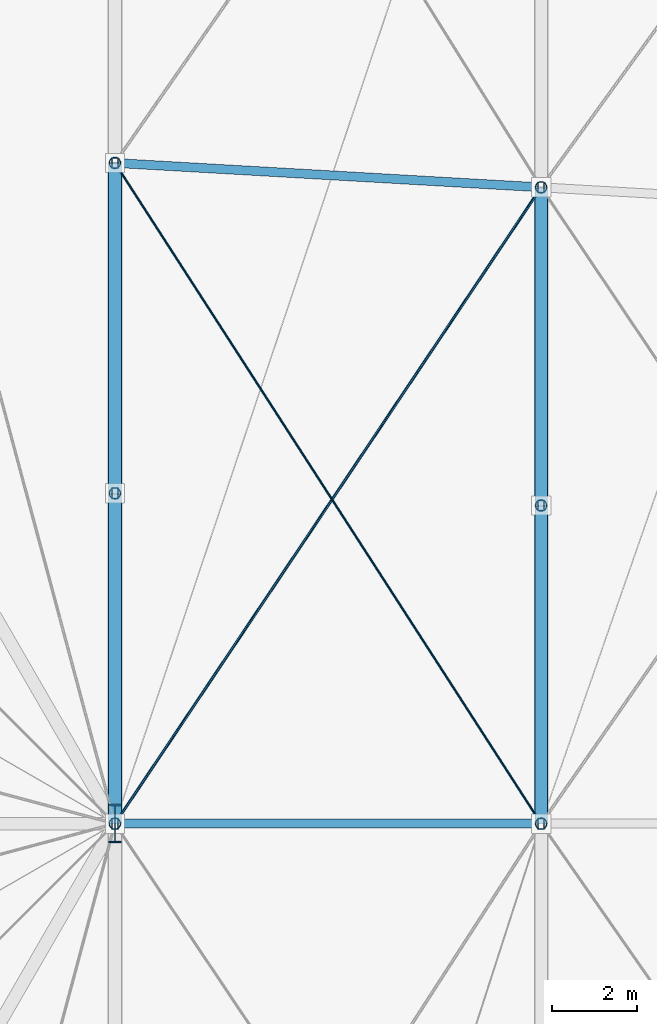
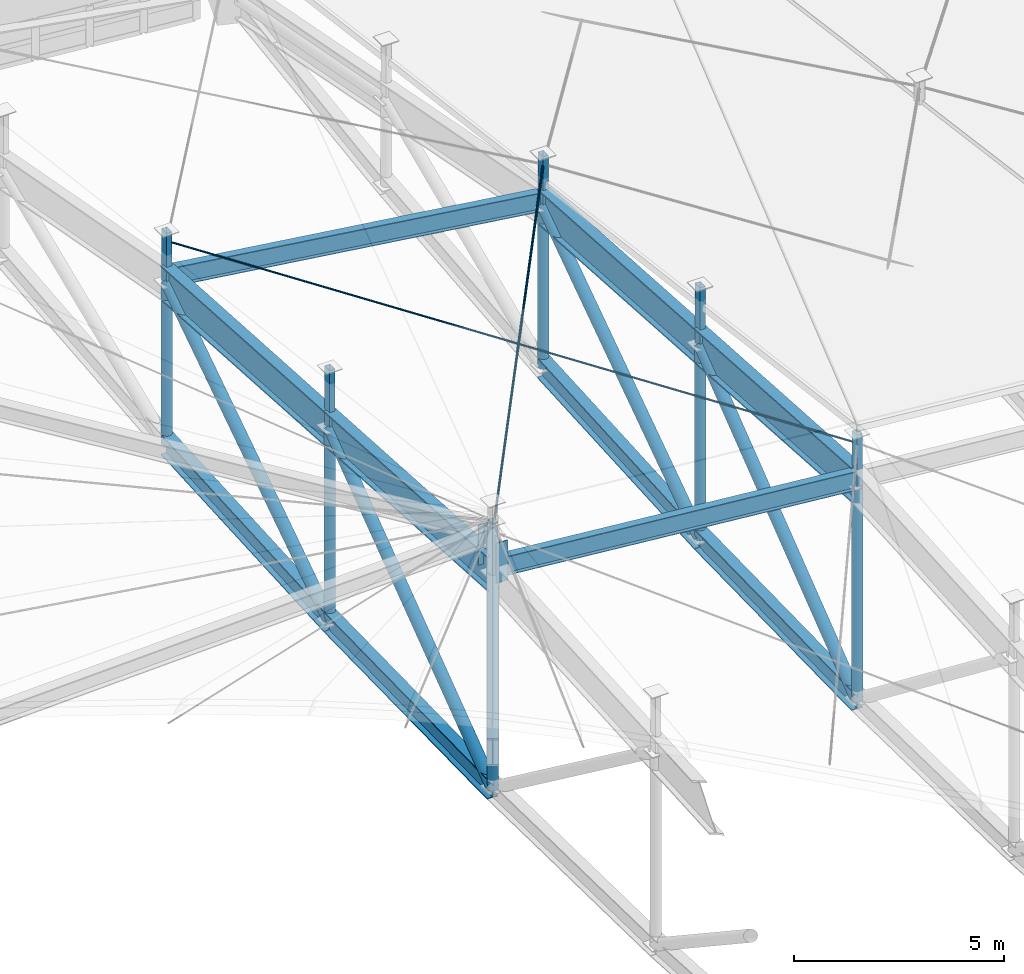
# One storey, part 19 of 68: 18 members, 11 beams.
"""IFC4 building model written with IfcOpenShell, lengths in metres."""

from ifc_helpers import new_model, si_unit, direction, frame, origin, origin_2d, place, context, subcontext, project, spatial, hollow_rectangle, circle, hollow_circle, i_section, extrude, material, material_profile, profile_set, type_object, element, save


model = new_model("IFC4")

# Units and contexts
model_context = context("Model", 3, precision=1e-05, world=origin(), true_north=direction((0.0, 1.0)))
body_context = subcontext(model_context, "Body", "Model", "MODEL_VIEW")
ifc_project = project(units=[si_unit("LENGTHUNIT", "METRE"), si_unit("AREAUNIT", "SQUARE_METRE"), si_unit("VOLUMEUNIT", "CUBIC_METRE"), si_unit("PLANEANGLEUNIT", "RADIAN"), si_unit("MASSUNIT", "GRAM", prefix="KILO")], contexts=[model_context])

# Site, building, storey
site_placement = place(None, origin())
site = spatial("IfcSite", under=ifc_project, at=site_placement, CompositionType="ELEMENT")
building_placement = place(site_placement, origin())
building = spatial("IfcBuilding", under=site, at=building_placement, Name="Sohan Crest Arena", CompositionType="ELEMENT")
storey_placement = place(building_placement, frame((0.0, 0.0, 27.0)))
storey = spatial("IfcBuildingStorey", under=building, at=storey_placement, Name="RF", CompositionType="ELEMENT", Elevation=27.0)

# Beams
ifc_material_1 = material(Name="Steel S355", Category="steel")
ifc_material_profile_1 = material_profile(ifc_material_1, i_section(OverallWidth=0.2099609375, OverallDepth=0.550048828125, WebThickness=0.010986328125, FlangeThickness=0.01708984375, at=origin_2d()), Name="IPE 550")
ifc_profile_set_1 = profile_set([ifc_material_profile_1], Name="Steel S355")
beam_type_1 = type_object("IfcBeamType", Name="STR-BM-B06", PredefinedType="BEAM", material=ifc_profile_set_1)
beam_1_placement = place(storey_placement, frame((98.0, 78.0, 5.470947265625), z_axis=(0.995721890148, 0.0, -0.092400852159), x_axis=(0.0, 1.0, 0.0)))
element("IfcBeam", 1, at=beam_1_placement, inside=storey, type_object=beam_type_1, Name="Structural beam RP-RF-3145", PredefinedType="BEAM", context=body_context, shape_type="SweptSolid", body=[
    extrude(i_section(OverallWidth=0.2099609375, OverallDepth=0.550048828125, WebThickness=0.010986328125, FlangeThickness=0.01708984375, at=origin_2d()), origin(), (0.0, 0.0, 1.0), 10.04296875),
])
beam_2_placement = place(storey_placement, frame((98.0, 93.5, 4.509033203125), z_axis=(0.994110674277, -0.056865266353, -0.092251334788), x_axis=(0.057108792309, 0.998367961145, 0.0)))
element("IfcBeam", 2, at=beam_2_placement, inside=storey, type_object=beam_type_1, Name="Structural beam RP-RF-3146", PredefinedType="BEAM", context=body_context, shape_type="SweptSolid", body=[
    extrude(i_section(OverallWidth=0.2099609375, OverallDepth=0.550048828125, WebThickness=0.010986328125, FlangeThickness=0.01708984375, at=origin_2d()), origin(), (0.0, 0.0, 1.0), 10.059326171875),
])
ifc_material_profile_2 = material_profile(ifc_material_1, i_section(OverallWidth=0.300048828125, OverallDepth=0.60009765625, WebThickness=0.015380859375, FlangeThickness=0.030029296875, at=origin_2d()), Name="HEB 600")
ifc_profile_set_2 = profile_set([ifc_material_profile_2], Name="Steel S355")
beam_type_2 = type_object("IfcBeamType", Name="STR-BM-B15", PredefinedType="BEAM", material=ifc_profile_set_2)
beam_3_placement = place(storey_placement, frame((98.0, 78.0, -0.93896484375), z_axis=(0.0, 0.999812991388, 0.019338620738), x_axis=(-1.0, 0.0, 0.0)))
element("IfcBeam", 3, at=beam_3_placement, inside=storey, type_object=beam_type_2, Name="Structural beam RAB-RF-3025", PredefinedType="BEAM", context=body_context, shape_type="SweptSolid", body=[
    extrude(i_section(OverallWidth=0.300048828125, OverallDepth=0.60009765625, WebThickness=0.015380859375, FlangeThickness=0.030029296875, at=origin_2d()), origin(), (0.0, 0.0, 1.0), 7.75146484375),
])
beam_4_placement = place(storey_placement, frame((98.0, 85.75, -0.7890625), z_axis=(0.0, 0.99831887061, 0.057960612353), x_axis=(-1.0, 0.0, 0.0)))
element("IfcBeam", 4, at=beam_4_placement, inside=storey, type_object=beam_type_2, Name="Structural beam RAB-RF-3027", PredefinedType="BEAM", context=body_context, shape_type="SweptSolid", body=[
    extrude(i_section(OverallWidth=0.300048828125, OverallDepth=0.60009765625, WebThickness=0.015380859375, FlangeThickness=0.030029296875, at=origin_2d()), origin(), (0.0, 0.0, 1.0), 7.762939453125),
])
beam_5_placement = place(storey_placement, frame((108.0, 78.0, -1.866943359375), z_axis=(0.0, 0.999798395935, 0.020079031011), x_axis=(-1.0, 0.0, 0.0)))
element("IfcBeam", 5, at=beam_5_placement, inside=storey, type_object=beam_type_2, Name="Structural beam RAB-RF-3041", PredefinedType="BEAM", context=body_context, shape_type="SweptSolid", body=[
    extrude(i_section(OverallWidth=0.300048828125, OverallDepth=0.60009765625, WebThickness=0.015380859375, FlangeThickness=0.030029296875, at=origin_2d()), origin(), (0.0, 0.0, 1.0), 7.465576171875),
])
beam_6_placement = place(storey_placement, frame((108.0, 85.464111328125, -1.717041015625), z_axis=(0.0, 0.998187862193, 0.060174677156), x_axis=(-1.0, 0.0, 0.0)))
element("IfcBeam", 6, at=beam_6_placement, inside=storey, type_object=beam_type_2, Name="Structural beam RAB-RF-3043", PredefinedType="BEAM", context=body_context, shape_type="SweptSolid", body=[
    extrude(i_section(OverallWidth=0.300048828125, OverallDepth=0.60009765625, WebThickness=0.015380859375, FlangeThickness=0.030029296875, at=origin_2d()), origin(), (0.0, 0.0, 1.0), 7.4775390625),
])
ifc_material_profile_3 = material_profile(ifc_material_1, i_section(OverallWidth=0.300048828125, OverallDepth=0.89990234375, WebThickness=0.0185546875, FlangeThickness=0.034912109375, at=origin_2d()), Name="HEB 900")
ifc_profile_set_3 = profile_set([ifc_material_profile_3], Name="Steel S355")
beam_type_3 = type_object("IfcBeamType", Name="STR-BM-B18", PredefinedType="BEAM", material=ifc_profile_set_3)
beam_7_placement = place(storey_placement, frame((98.0, 78.0, 5.31103515625), z_axis=(0.0, 0.0, 1.0), x_axis=(1.0, 0.0, 0.0)))
element("IfcBeam", 7, at=beam_7_placement, inside=storey, type_object=beam_type_3, Name="Structural beam RP-RF-3165", PredefinedType="BEAM", context=body_context, shape_type="SweptSolid", body=[
    extrude(i_section(OverallWidth=0.300048828125, OverallDepth=0.89990234375, WebThickness=0.0185546875, FlangeThickness=0.034912109375, at=origin_2d()), origin(), (0.0, 0.0, 1.0), 1.156005859375),
])
ifc_material_profile_4 = material_profile(ifc_material_1, i_section(OverallWidth=0.300048828125, OverallDepth=1.0, WebThickness=0.01904296875, FlangeThickness=0.035888671875, at=origin_2d()), Name="HEB 1000")
ifc_profile_set_4 = profile_set([ifc_material_profile_4], Name="Steel S355")
beam_type_4 = type_object("IfcBeamType", Name="STR-BM-B19", PredefinedType="BEAM", material=ifc_profile_set_4)
for number, where, z_axis, x_axis, name in (
    (8, (98.0, 78.0, 5.31103515625), (0.0, 0.998079886458, -0.061939811502), (-1.0, 0.0, 0.0), "Structural beam RA-RF-3024"),
    (9, (98.0, 85.75, 4.830078125), (0.0, 0.998079886458, -0.061939811502), (-1.0, 0.0, 0.0), "Structural beam RA-RF-3026"),
):
    element("IfcBeam", number, at=place(storey_placement, frame(where, z_axis=z_axis, x_axis=x_axis)), inside=storey, type_object=beam_type_4, Name=name, PredefinedType="BEAM", context=body_context, shape_type="SweptSolid", body=[
        extrude(i_section(OverallWidth=0.300048828125, OverallDepth=1.0, WebThickness=0.01904296875, FlangeThickness=0.035888671875, at=origin_2d()), origin(), (0.0, 0.0, 1.0), 7.764892578125),
    ])
beam_8_placement = place(storey_placement, frame((108.0, 78.0, 4.383056640625), z_axis=(0.0, 0.997930447152, -0.064302586625), x_axis=(-1.0, 0.0, 0.0)))
element("IfcBeam", 10, at=beam_8_placement, inside=storey, type_object=beam_type_4, Name="Structural beam RA-RF-3040", PredefinedType="BEAM", context=body_context, shape_type="SweptSolid", body=[
    extrude(i_section(OverallWidth=0.300048828125, OverallDepth=1.0, WebThickness=0.01904296875, FlangeThickness=0.035888671875, at=origin_2d()), origin(), (0.0, 0.0, 1.0), 7.4794921875),
])
beam_9_placement = place(storey_placement, frame((108.0, 85.464111328125, 3.902099609375), z_axis=(0.0, 0.997928216969, -0.064337188134), x_axis=(-1.0, 0.0, 0.0)))
element("IfcBeam", 11, at=beam_9_placement, inside=storey, type_object=beam_type_4, Name="Structural beam RA-RF-3042", PredefinedType="BEAM", context=body_context, shape_type="SweptSolid", body=[
    extrude(i_section(OverallWidth=0.300048828125, OverallDepth=1.0, WebThickness=0.01904296875, FlangeThickness=0.035888671875, at=origin_2d()), origin(), (0.0, 0.0, 1.0), 7.479248046875),
])

# Members
ifc_material_profile_5 = material_profile(ifc_material_1, hollow_circle(Radius=0.136474609375, WallThickness=0.012451171875, at=origin_2d()), Name="CHS 273x12.5")
ifc_profile_set_5 = profile_set([ifc_material_profile_5], Name="Steel S355")
member_type_1 = type_object("IfcMemberType", Name="STR-MEM-BR02", PredefinedType="BRACE", material=ifc_profile_set_5)
member_1_placement = place(storey_placement, frame((98.0, 78.0, -0.93896484375), z_axis=(0.0, 0.0, 1.0), x_axis=(1.0, 0.0, 0.0)))
element("IfcMember", 12, at=member_1_placement, inside=storey, type_object=member_type_1, Name="Lenticular roof truss web strut TW-077", PredefinedType="BRACE", context=body_context, shape_type="SweptSolid", body=[
    extrude(hollow_circle(Radius=0.136474609375, WallThickness=0.012451171875, at=origin_2d()), origin(), (0.0, 0.0, 1.0), 6.25),
])
member_2_placement = place(storey_placement, frame((98.0, 85.75, -0.7890625), z_axis=(0.0, 0.0, 1.0), x_axis=(1.0, 0.0, 0.0)))
element("IfcMember", 13, at=member_2_placement, inside=storey, type_object=member_type_1, Name="Lenticular roof truss web strut TW-079", PredefinedType="BRACE", context=body_context, shape_type="SweptSolid", body=[
    extrude(hollow_circle(Radius=0.136474609375, WallThickness=0.012451171875, at=origin_2d()), origin(), (0.0, 0.0, 1.0), 5.619140625),
])
member_3_placement = place(storey_placement, frame((98.0, 93.5, -0.339111328125), z_axis=(0.0, 0.0, 1.0), x_axis=(1.0, 0.0, 0.0)))
element("IfcMember", 14, at=member_3_placement, inside=storey, type_object=member_type_1, Name="Lenticular roof truss web strut TW-081", PredefinedType="BRACE", context=body_context, shape_type="SweptSolid", body=[
    extrude(hollow_circle(Radius=0.136474609375, WallThickness=0.012451171875, at=origin_2d()), origin(), (0.0, 0.0, 1.0), 4.688232421875),
])
member_4_placement = place(storey_placement, frame((108.0, 78.0, -1.866943359375), z_axis=(0.0, 0.0, 1.0), x_axis=(1.0, 0.0, 0.0)))
element("IfcMember", 15, at=member_4_placement, inside=storey, type_object=member_type_1, Name="Lenticular roof truss web strut TW-101", PredefinedType="BRACE", context=body_context, shape_type="SweptSolid", body=[
    extrude(hollow_circle(Radius=0.136474609375, WallThickness=0.012451171875, at=origin_2d()), origin(), (0.0, 0.0, 1.0), 6.25),
])
member_5_placement = place(storey_placement, frame((108.0, 85.464111328125, -1.717041015625), z_axis=(0.0, 0.0, 1.0), x_axis=(1.0, 0.0, 0.0)))
element("IfcMember", 16, at=member_5_placement, inside=storey, type_object=member_type_1, Name="Lenticular roof truss web strut TW-103", PredefinedType="BRACE", context=body_context, shape_type="SweptSolid", body=[
    extrude(hollow_circle(Radius=0.136474609375, WallThickness=0.012451171875, at=origin_2d()), origin(), (0.0, 0.0, 1.0), 5.619140625),
])
member_6_placement = place(storey_placement, frame((108.0, 92.927978515625, -1.26708984375), z_axis=(0.0, 0.0, 1.0), x_axis=(1.0, 0.0, 0.0)))
element("IfcMember", 17, at=member_6_placement, inside=storey, type_object=member_type_1, Name="Lenticular roof truss web strut TW-105", PredefinedType="BRACE", context=body_context, shape_type="SweptSolid", body=[
    extrude(hollow_circle(Radius=0.136474609375, WallThickness=0.012451171875, at=origin_2d()), origin(), (0.0, 0.0, 1.0), 4.68798828125),
])
ifc_material_profile_6 = material_profile(ifc_material_1, hollow_circle(Radius=0.161865234375, WallThickness=0.012451171875, at=origin_2d()), Name="CHS 323.9x12.5")
ifc_profile_set_6 = profile_set([ifc_material_profile_6], Name="Steel S355")
member_type_2 = type_object("IfcMemberType", Name="STR-MEM-BR03", PredefinedType="BRACE", material=ifc_profile_set_6)
member_7_placement = place(storey_placement, frame((98.0, 78.0, -0.93896484375), z_axis=(0.0, 0.802153843618, 0.597117418243), x_axis=(-1.0, 0.0, 0.0)))
element("IfcMember", 18, at=member_7_placement, inside=storey, type_object=member_type_2, Name="Lenticular roof truss web diagonal TD-078", PredefinedType="BRACE", context=body_context, shape_type="SweptSolid", body=[
    extrude(hollow_circle(Radius=0.161865234375, WallThickness=0.012451171875, at=origin_2d()), origin(), (0.0, 0.0, 1.0), 9.661376953125),
])
member_8_placement = place(storey_placement, frame((98.0, 85.75, -0.7890625), z_axis=(0.0, 0.833461361044, 0.552577740818), x_axis=(-1.0, 0.0, 0.0)))
element("IfcMember", 19, at=member_8_placement, inside=storey, type_object=member_type_2, Name="Lenticular roof truss web diagonal TD-080", PredefinedType="BRACE", context=body_context, shape_type="SweptSolid", body=[
    extrude(hollow_circle(Radius=0.161865234375, WallThickness=0.012451171875, at=origin_2d()), origin(), (0.0, 0.0, 1.0), 9.298583984375),
])
member_9_placement = place(storey_placement, frame((108.0, 78.0, -1.866943359375), z_axis=(0.0, 0.791217267627, 0.611535146503), x_axis=(-1.0, 0.0, 0.0)))
element("IfcMember", 20, at=member_9_placement, inside=storey, type_object=member_type_2, Name="Lenticular roof truss web diagonal TD-102", PredefinedType="BRACE", context=body_context, shape_type="SweptSolid", body=[
    extrude(hollow_circle(Radius=0.161865234375, WallThickness=0.012451171875, at=origin_2d()), origin(), (0.0, 0.0, 1.0), 9.43359375),
])
member_10_placement = place(storey_placement, frame((108.0, 85.464111328125, -1.717041015625), z_axis=(0.0, 0.823705311369, 0.567018130242), x_axis=(-1.0, 0.0, 0.0)))
element("IfcMember", 21, at=member_10_placement, inside=storey, type_object=member_type_2, Name="Lenticular roof truss web diagonal TD-104", PredefinedType="BRACE", context=body_context, shape_type="SweptSolid", body=[
    extrude(hollow_circle(Radius=0.161865234375, WallThickness=0.012451171875, at=origin_2d()), origin(), (0.0, 0.0, 1.0), 9.061279296875),
])
ifc_material_2 = material(Name="Steel S460", Category="steel")
ifc_material_profile_7 = material_profile(ifc_material_2, circle(Radius=0.031982421875, at=origin_2d()), Name="FLC D64")
ifc_profile_set_7 = profile_set([ifc_material_profile_7], Name="Steel S460")
member_type_3 = type_object("IfcMemberType", Name="STR-MEM-CB01", PredefinedType="USERDEFINED", material=ifc_profile_set_7)
member_11_placement = place(storey_placement, frame((98.0, 78.0, 6.490966796875), z_axis=(0.553495537026, 0.826256948523, -0.104604710745), x_axis=(-0.830814900024, 0.556548831548, 0.0)))
element("IfcMember", 22, at=member_11_placement, inside=storey, type_object=member_type_3, Name="Full-locked-coil roof cable CB-005", ObjectType="CABLE", PredefinedType="USERDEFINED", context=body_context, shape_type="SweptSolid", body=[
    extrude(circle(Radius=0.031982421875, at=origin_2d()), origin(), (0.0, 0.0, 1.0), 18.06689453125),
])
ifc_material_profile_8 = material_profile(ifc_material_2, circle(Radius=0.02587890625, at=origin_2d()), Name="FLC D52")
ifc_profile_set_8 = profile_set([ifc_material_profile_8], Name="Steel S460")
member_type_4 = type_object("IfcMemberType", Name="STR-MEM-CB02", PredefinedType="USERDEFINED", material=ifc_profile_set_8)
member_12_placement = place(storey_placement, frame((98.0, 93.5, 5.529052734375), z_axis=(0.542125952374, -0.84029522618, 0.001839734067), x_axis=(0.840296648224, 0.542126869822, 0.0)))
element("IfcMember", 23, at=member_12_placement, inside=storey, type_object=member_type_4, Name="Full-locked-coil roof cable CB-006", ObjectType="CABLE", PredefinedType="USERDEFINED", context=body_context, shape_type="SweptSolid", body=[
    extrude(circle(Radius=0.02587890625, at=origin_2d()), origin(), (0.0, 0.0, 1.0), 18.44580078125),
])
ifc_material_profile_9 = material_profile(ifc_material_1, hollow_rectangle(XDim=0.14990234375, YDim=0.25, WallThickness=0.010009765625, at=origin_2d()), Name="RHS 250x150x10")
ifc_profile_set_9 = profile_set([ifc_material_profile_9], Name="Steel S355")
member_type_5 = type_object("IfcMemberType", Name="STR-MEM-CH02", PredefinedType="CHORD", material=ifc_profile_set_9)
member_13_placement = place(storey_placement, frame((98.0, 78.0, 5.31103515625), z_axis=(0.0, 0.0, 1.0), x_axis=(1.0, 0.0, 0.0)))
element("IfcMember", 24, at=member_13_placement, inside=storey, type_object=member_type_5, Name="Roof deck bearing saddle chord RSP-065", PredefinedType="CHORD", context=body_context, shape_type="SweptSolid", body=[
    extrude(hollow_rectangle(XDim=0.14990234375, YDim=0.25, WallThickness=0.010009765625, at=origin_2d()), origin(), (0.0, 0.0, 1.0), 1.489990234375),
])
member_14_placement = place(storey_placement, frame((98.0, 85.75, 4.830078125), z_axis=(0.0, 0.0, 1.0), x_axis=(1.0, 0.0, 0.0)))
element("IfcMember", 25, at=member_14_placement, inside=storey, type_object=member_type_5, Name="Roof deck bearing saddle chord RSP-066", PredefinedType="CHORD", context=body_context, shape_type="SweptSolid", body=[
    extrude(hollow_rectangle(XDim=0.14990234375, YDim=0.25, WallThickness=0.010009765625, at=origin_2d()), origin(), (0.0, 0.0, 1.0), 1.72998046875),
])
for number, where, z_axis, x_axis, name in (
    (26, (98.0, 93.5, 4.34912109375), (0.0, 0.0, 1.0), (1.0, 0.0, 0.0), "Roof deck bearing saddle chord RSP-067"),
    (27, (108.0, 78.0, 4.383056640625), (0.0, 0.0, 1.0), (1.0, 0.0, 0.0), "Roof deck bearing saddle chord RSP-089"),
):
    element("IfcMember", number, at=place(storey_placement, frame(where, z_axis=z_axis, x_axis=x_axis)), inside=storey, type_object=member_type_5, Name=name, PredefinedType="CHORD", context=body_context, shape_type="SweptSolid", body=[
        extrude(hollow_rectangle(XDim=0.14990234375, YDim=0.25, WallThickness=0.010009765625, at=origin_2d()), origin(), (0.0, 0.0, 1.0), 1.489990234375),
    ])
member_15_placement = place(storey_placement, frame((108.0, 85.464111328125, 3.902099609375), z_axis=(0.0, 0.0, 1.0), x_axis=(1.0, 0.0, 0.0)))
element("IfcMember", 28, at=member_15_placement, inside=storey, type_object=member_type_5, Name="Roof deck bearing saddle chord RSP-090", PredefinedType="CHORD", context=body_context, shape_type="SweptSolid", body=[
    extrude(hollow_rectangle(XDim=0.14990234375, YDim=0.25, WallThickness=0.010009765625, at=origin_2d()), origin(), (0.0, 0.0, 1.0), 1.72998046875),
])
member_16_placement = place(storey_placement, frame((108.0, 92.927978515625, 3.4208984375), z_axis=(0.0, 0.0, 1.0), x_axis=(1.0, 0.0, 0.0)))
element("IfcMember", 29, at=member_16_placement, inside=storey, type_object=member_type_5, Name="Roof deck bearing saddle chord RSP-091", PredefinedType="CHORD", context=body_context, shape_type="SweptSolid", body=[
    extrude(hollow_rectangle(XDim=0.14990234375, YDim=0.25, WallThickness=0.010009765625, at=origin_2d()), origin(), (0.0, 0.0, 1.0), 1.489990234375),
])

save(model, "model.ifc")
